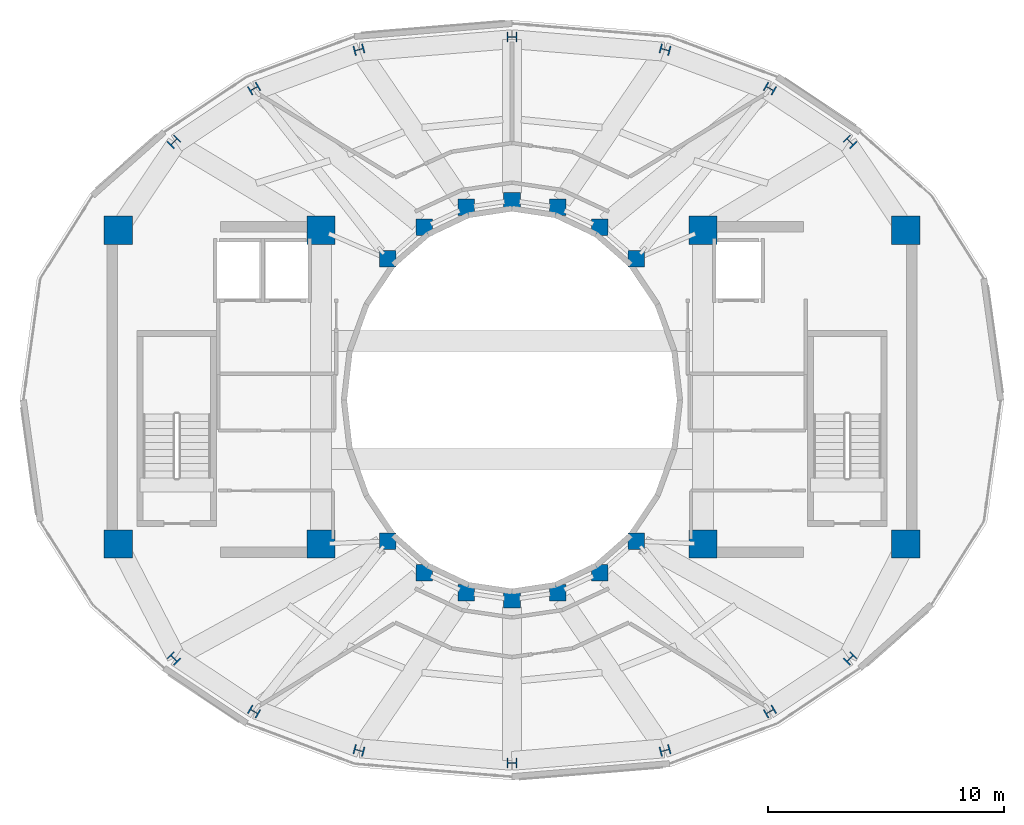
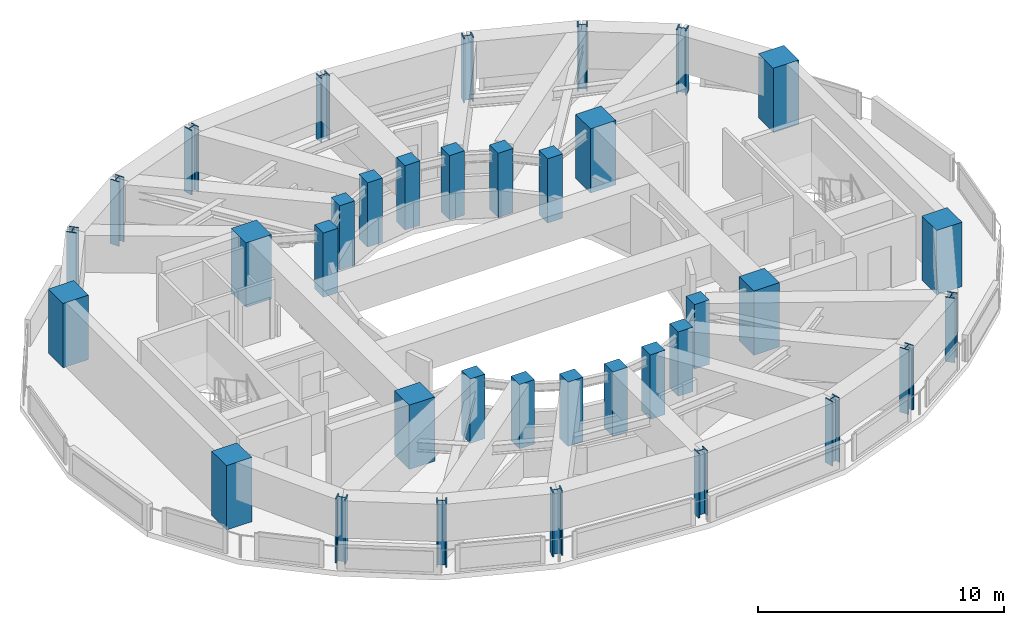
# One storey, part 1 of 18: 36 columns.
"""IFC4 building model written with IfcOpenShell, lengths in metres."""

from ifc_helpers import new_model, si_unit, direction, frame, origin, origin_2d, place, context, subcontext, project, spatial, rectangle, i_section, extrude, material, material_profile, profile_set, type_object, element, save


model = new_model("IFC4")

# Units and contexts
model_context = context("Model", 3, precision=1e-05, world=origin(), true_north=direction((0.0, 1.0)))
body_context = subcontext(model_context, "Body", "Model", "MODEL_VIEW")
ifc_project = project(units=[si_unit("LENGTHUNIT", "METRE"), si_unit("AREAUNIT", "SQUARE_METRE"), si_unit("VOLUMEUNIT", "CUBIC_METRE"), si_unit("PLANEANGLEUNIT", "RADIAN"), si_unit("MASSUNIT", "GRAM", prefix="KILO")], contexts=[model_context])

# Site, building, storey
site_placement = place(None, origin())
site = spatial("IfcSite", under=ifc_project, at=site_placement, CompositionType="ELEMENT")
building_placement = place(site_placement, origin())
building = spatial("IfcBuilding", under=site, at=building_placement, Name="Solvane Sanctuary Tower", CompositionType="ELEMENT")
storey_placement = place(building_placement, frame((0.0, 0.0, 263.60009765625)))
storey = spatial("IfcBuildingStorey", under=building, at=storey_placement, Name="L80", CompositionType="ELEMENT", Elevation=263.60009765625)

# Columns
ifc_material_1 = material(Name="Steel ASTM A913 Grade 65", Category="steel")
ifc_material_profile_1 = material_profile(ifc_material_1, i_section(OverallWidth=0.412109375, OverallDepth=0.43505859375, WebThickness=0.035888671875, FlangeThickness=0.057373046875, FilletRadius=0.02490234375, at=origin_2d()), Name="W14X311")
ifc_profile_set_1 = profile_set([ifc_material_profile_1], Name="Steel ASTM A913 Grade 65")
column_type_1 = type_object("IfcColumnType", Name="Column C-CROWN W14X311", PredefinedType="COLUMN", material=ifc_profile_set_1)
for number, where, z_axis, x_axis, name in (
    (1, (46.33349609375, 33.952392578125, 0.0), (0.0, 0.0, 1.0), (0.707106781187, 0.707106781187, 0.0), "L80 Perimeter Tube Column TC01"),
    (2, (42.93603515625, 36.207275390625, 0.0), (0.0, 0.0, 1.0), (0.5, 0.866025403784, 0.0), "L80 Perimeter Tube Column TC02"),
    (3, (38.48876953125, 37.857421875, 0.0), (0.0, 0.0, 1.0), (0.258819045103, 0.965925826289, 0.0), "L80 Perimeter Tube Column TC03"),
    (4, (32.0, 38.388916015625, 0.0), (0.0, 0.0, 1.0), (0.0, 1.0, 0.0), "L80 Perimeter Tube Column TC04"),
    (5, (25.51123046875, 37.857421875, 0.0), (0.0, 0.0, 1.0), (-0.258819045103, 0.965925826289, 0.0), "L80 Perimeter Tube Column TC05"),
    (6, (21.06396484375, 36.207275390625, 0.0), (0.0, 0.0, 1.0), (-0.5, 0.866025403784, 0.0), "L80 Perimeter Tube Column TC06"),
    (7, (17.66650390625, 33.952392578125, 0.0), (0.0, 0.0, 1.0), (-0.707106781187, 0.707106781187, 0.0), "L80 Perimeter Tube Column TC07"),
    (8, (17.66650390625, 12.047607421875, 0.0), (0.0, 0.0, 1.0), (-0.707106781187, -0.707106781187, 0.0), "L80 Perimeter Tube Column TC08"),
    (9, (21.06396484375, 9.792724609375, 0.0), (0.0, 0.0, 1.0), (-0.5, -0.866025403784, 0.0), "L80 Perimeter Tube Column TC09"),
    (10, (25.51123046875, 8.142578125, 0.0), (0.0, 0.0, 1.0), (-0.258819045103, -0.965925826289, 0.0), "L80 Perimeter Tube Column TC10"),
    (11, (32.0, 7.611083984375, 0.0), (0.0, 0.0, 1.0), (0.0, -1.0, 0.0), "L80 Perimeter Tube Column TC11"),
    (12, (38.48876953125, 8.142578125, 0.0), (0.0, 0.0, 1.0), (0.258819045103, -0.965925826289, 0.0), "L80 Perimeter Tube Column TC12"),
    (13, (42.93603515625, 9.792724609375, 0.0), (0.0, 0.0, 1.0), (0.5, -0.866025403784, 0.0), "L80 Perimeter Tube Column TC13"),
    (14, (46.33349609375, 12.047607421875, 0.0), (0.0, 0.0, 1.0), (0.707106781187, -0.707106781187, 0.0), "L80 Perimeter Tube Column TC14"),
):
    element("IfcColumn", number, at=place(storey_placement, frame(where, z_axis=z_axis, x_axis=x_axis)), inside=storey, type_object=column_type_1, Name=name, PredefinedType="COLUMN", context=body_context, shape_type="SweptSolid", body=[
        extrude(i_section(OverallWidth=0.412109375, OverallDepth=0.43505859375, WebThickness=0.035888671875, FlangeThickness=0.057373046875, FilletRadius=0.02490234375, at=origin_2d()), origin(), (0.0, 0.0, 1.0), 3.199951171875),
    ])
ifc_material_2 = material(Name="Concrete C50/60", Category="concrete")
ifc_material_profile_2 = material_profile(ifc_material_2, rectangle(XDim=0.699951171875, YDim=0.699951171875, at=origin_2d()), Name="RC700X700")
ifc_profile_set_2 = profile_set([ifc_material_profile_2], Name="Concrete C50/60")
column_type_2 = type_object("IfcColumnType", Name="Column C-RING-Z4 RC700X700", PredefinedType="COLUMN", material=ifc_profile_set_2)
for number, where, z_axis, x_axis, name in (
    (15, (37.27490234375, 28.982177734375, 0.0), (0.0, 0.0, 1.0), (1.0, 0.0, 0.0), "L80 Inner Light-Well Ring Column IC01"),
    (16, (35.72998046875, 30.32666015625, 0.0), (0.0, 0.0, 1.0), (1.0, 0.0, 0.0), "L80 Inner Light-Well Ring Column IC02"),
    (17, (33.930908203125, 31.171630859375, 0.0), (0.0, 0.0, 1.0), (1.0, 0.0, 0.0), "L80 Inner Light-Well Ring Column IC03"),
    (18, (32.0, 31.4599609375, 0.0), (0.0, 0.0, 1.0), (1.0, 0.0, 0.0), "L80 Inner Light-Well Ring Column IC04"),
    (19, (30.069091796875, 31.171630859375, 0.0), (0.0, 0.0, 1.0), (1.0, 0.0, 0.0), "L80 Inner Light-Well Ring Column IC05"),
    (20, (28.27001953125, 30.32666015625, 0.0), (0.0, 0.0, 1.0), (1.0, 0.0, 0.0), "L80 Inner Light-Well Ring Column IC06"),
    (21, (26.72509765625, 28.982177734375, 0.0), (0.0, 0.0, 1.0), (1.0, 0.0, 0.0), "L80 Inner Light-Well Ring Column IC07"),
    (22, (26.72509765625, 17.017822265625, 0.0), (0.0, 0.0, 1.0), (1.0, 0.0, 0.0), "L80 Inner Light-Well Ring Column IC08"),
    (23, (28.27001953125, 15.67333984375, 0.0), (0.0, 0.0, 1.0), (1.0, 0.0, 0.0), "L80 Inner Light-Well Ring Column IC09"),
    (24, (30.069091796875, 14.828369140625, 0.0), (0.0, 0.0, 1.0), (1.0, 0.0, 0.0), "L80 Inner Light-Well Ring Column IC10"),
    (25, (32.0, 14.5400390625, 0.0), (0.0, 0.0, 1.0), (1.0, 0.0, 0.0), "L80 Inner Light-Well Ring Column IC11"),
    (26, (33.930908203125, 14.828369140625, 0.0), (0.0, 0.0, 1.0), (1.0, 0.0, 0.0), "L80 Inner Light-Well Ring Column IC12"),
    (27, (35.72998046875, 15.67333984375, 0.0), (0.0, 0.0, 1.0), (1.0, 0.0, 0.0), "L80 Inner Light-Well Ring Column IC13"),
    (28, (37.27490234375, 17.017822265625, 0.0), (0.0, 0.0, 1.0), (1.0, 0.0, 0.0), "L80 Inner Light-Well Ring Column IC14"),
):
    element("IfcColumn", number, at=place(storey_placement, frame(where, z_axis=z_axis, x_axis=x_axis)), inside=storey, type_object=column_type_2, Name=name, PredefinedType="COLUMN", context=body_context, shape_type="SweptSolid", body=[
        extrude(rectangle(XDim=0.699951171875, YDim=0.699951171875, at=origin_2d()), origin(), (0.0, 0.0, 1.0), 3.199951171875),
    ])
ifc_material_3 = material(Name="Concrete C70/85", Category="concrete")
ifc_material_profile_3 = material_profile(ifc_material_3, rectangle(XDim=1.199951171875, YDim=1.199951171875, at=origin_2d()), Name="RC1200X1200")
ifc_profile_set_3 = profile_set([ifc_material_profile_3], Name="Concrete C70/85")
column_type_3 = type_object("IfcColumnType", Name="Column C-TUBE-Z1 RC1200X1200", PredefinedType="COLUMN", material=ifc_profile_set_3)
for number, where, z_axis, x_axis, name in (
    (29, (15.300048828125, 16.89990234375, 0.0), (0.0, 0.0, 1.0), (1.0, 0.0, 0.0), "L80 Core Corner Column CW1"),
    (30, (23.89990234375, 16.89990234375, 0.0), (0.0, 0.0, 1.0), (1.0, 0.0, 0.0), "L80 Core Corner Column CW2"),
    (31, (23.89990234375, 30.199951171875, 0.0), (0.0, 0.0, 1.0), (1.0, 0.0, 0.0), "L80 Core Corner Column CW3"),
    (32, (15.300048828125, 30.199951171875, 0.0), (0.0, 0.0, 1.0), (1.0, 0.0, 0.0), "L80 Core Corner Column CW4"),
    (33, (40.10009765625, 16.89990234375, 0.0), (0.0, 0.0, 1.0), (1.0, 0.0, 0.0), "L80 Core Corner Column CE1"),
    (34, (48.699951171875, 16.89990234375, 0.0), (0.0, 0.0, 1.0), (1.0, 0.0, 0.0), "L80 Core Corner Column CE2"),
    (35, (48.699951171875, 30.199951171875, 0.0), (0.0, 0.0, 1.0), (1.0, 0.0, 0.0), "L80 Core Corner Column CE3"),
    (36, (40.10009765625, 30.199951171875, 0.0), (0.0, 0.0, 1.0), (1.0, 0.0, 0.0), "L80 Core Corner Column CE4"),
):
    element("IfcColumn", number, at=place(storey_placement, frame(where, z_axis=z_axis, x_axis=x_axis)), inside=storey, type_object=column_type_3, Name=name, PredefinedType="COLUMN", context=body_context, shape_type="SweptSolid", body=[
        extrude(rectangle(XDim=1.199951171875, YDim=1.199951171875, at=origin_2d()), origin(), (0.0, 0.0, 1.0), 3.199951171875),
    ])

save(model, "model.ifc")
